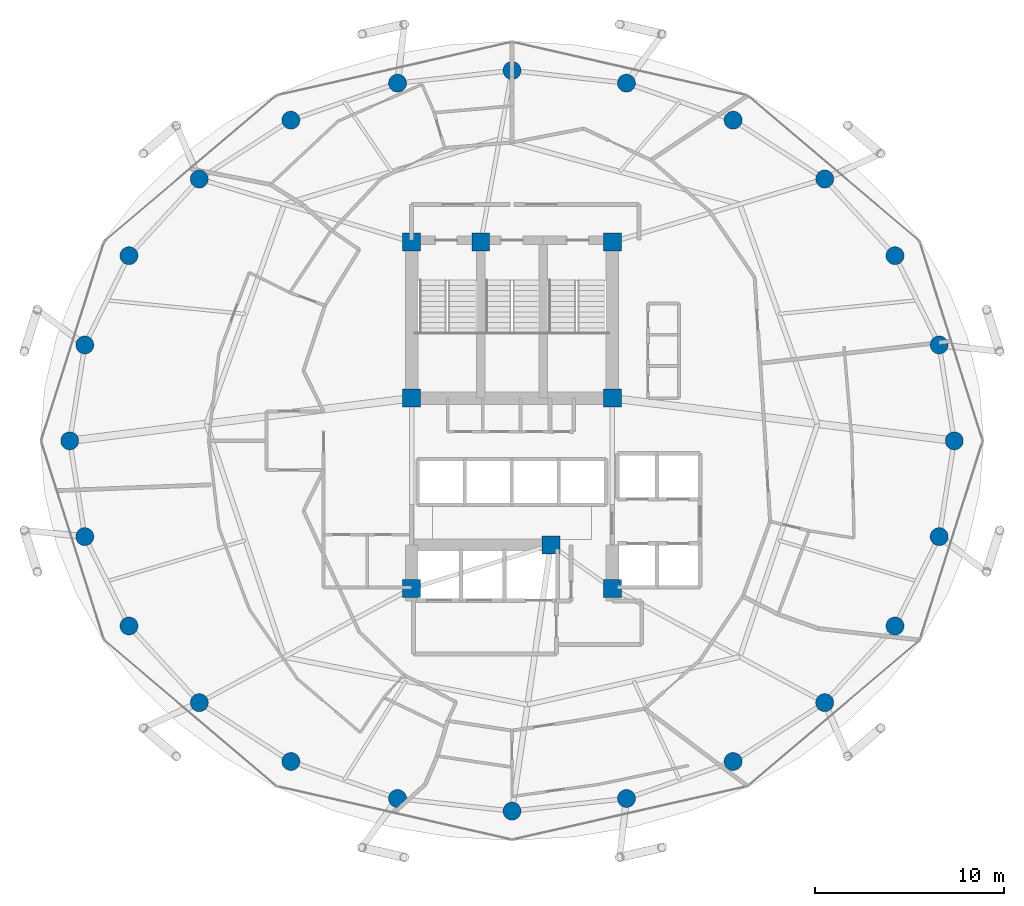
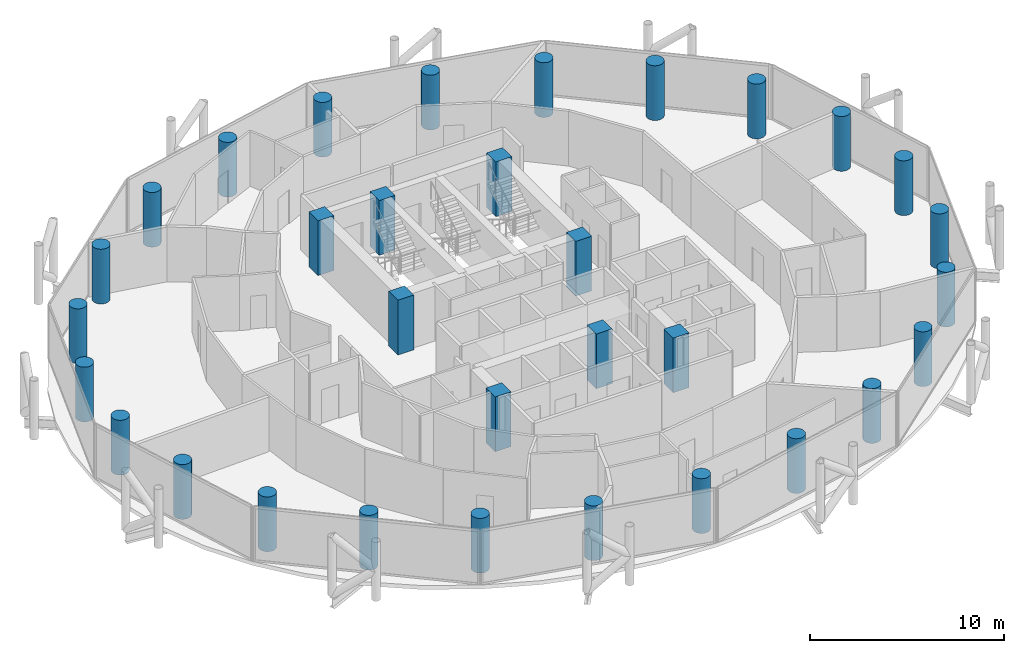
# One storey, part 1 of 26: 32 columns.
"""IFC4 building model written with IfcOpenShell, lengths in metres."""

from ifc_helpers import new_model, si_unit, direction, frame, origin, origin_2d, place, context, subcontext, project, spatial, rectangle, circle, extrude, material, material_profile, profile_set, type_object, element, save


model = new_model("IFC4")

# Units and contexts
model_context = context("Model", 3, precision=1e-05, world=origin(), true_north=direction((0.0, 1.0)))
body_context = subcontext(model_context, "Body", "Model", "MODEL_VIEW")
ifc_project = project(units=[si_unit("LENGTHUNIT", "METRE"), si_unit("AREAUNIT", "SQUARE_METRE"), si_unit("VOLUMEUNIT", "CUBIC_METRE"), si_unit("PLANEANGLEUNIT", "RADIAN"), si_unit("MASSUNIT", "GRAM", prefix="KILO")], contexts=[model_context])

# Site, building, storey
site_placement = place(None, origin())
site = spatial("IfcSite", under=ifc_project, at=site_placement, CompositionType="ELEMENT")
building_placement = place(site_placement, origin())
building = spatial("IfcBuilding", under=site, at=building_placement, Name="Nuhasar Tower", CompositionType="ELEMENT")
storey_placement = place(building_placement, frame((0.0, 0.0, 129.35009765625)))
storey = spatial("IfcBuildingStorey", under=building, at=storey_placement, Name="L30", CompositionType="ELEMENT", Elevation=129.35009765625)

# Columns
ifc_material = material(Name="Concrete C65/80", Category="concrete")
ifc_material_profile_1 = material_profile(ifc_material, circle(Radius=0.47509765625, at=origin_2d()), Name="CFT950")
ifc_profile_set_1 = profile_set([ifc_material_profile_1], Name="Concrete C65/80")
column_type_1 = type_object("IfcColumnType", Name="COL-CFT-950", PredefinedType="COLUMN", material=ifc_profile_set_1)
for number, where, z_axis, x_axis, name in (
    (1, (62.35009765625, 26.800048828125, 0.0), (0.0, 0.0, 1.0), (1.0, 0.0, 0.0), "L30 Perimeter Composite Column TC-01"),
    (2, (61.553955078125, 31.860107421875, 0.0), (0.0, 0.0, 1.0), (1.0, 0.0, 0.0), "L30 Perimeter Composite Column TC-02"),
    (3, (59.221923828125, 36.574951171875, 0.0), (0.0, 0.0, 1.0), (1.0, 0.0, 0.0), "L30 Perimeter Composite Column TC-03"),
    (4, (55.510986328125, 40.6240234375, 0.0), (0.0, 0.0, 1.0), (1.0, 0.0, 0.0), "L30 Perimeter Composite Column TC-04"),
    (5, (50.675048828125, 43.73095703125, 0.0), (0.0, 0.0, 1.0), (1.0, 0.0, 0.0), "L30 Perimeter Composite Column TC-05"),
    (6, (45.04296875, 45.68408203125, 0.0), (0.0, 0.0, 1.0), (1.0, 0.0, 0.0), "L30 Perimeter Composite Column TC-06"),
    (7, (39.0, 46.35009765625, 0.0), (0.0, 0.0, 1.0), (1.0, 0.0, 0.0), "L30 Perimeter Composite Column TC-07"),
    (8, (32.95703125, 45.68408203125, 0.0), (0.0, 0.0, 1.0), (1.0, 0.0, 0.0), "L30 Perimeter Composite Column TC-08"),
    (9, (27.324951171875, 43.73095703125, 0.0), (0.0, 0.0, 1.0), (1.0, 0.0, 0.0), "L30 Perimeter Composite Column TC-09"),
    (10, (22.489013671875, 40.6240234375, 0.0), (0.0, 0.0, 1.0), (1.0, 0.0, 0.0), "L30 Perimeter Composite Column TC-10"),
    (11, (18.778076171875, 36.574951171875, 0.0), (0.0, 0.0, 1.0), (1.0, 0.0, 0.0), "L30 Perimeter Composite Column TC-11"),
    (12, (16.446044921875, 31.860107421875, 0.0), (0.0, 0.0, 1.0), (1.0, 0.0, 0.0), "L30 Perimeter Composite Column TC-12"),
    (13, (15.64990234375, 26.800048828125, 0.0), (0.0, 0.0, 1.0), (1.0, 0.0, 0.0), "L30 Perimeter Composite Column TC-13"),
    (14, (16.446044921875, 21.739990234375, 0.0), (0.0, 0.0, 1.0), (1.0, 0.0, 0.0), "L30 Perimeter Composite Column TC-14"),
    (15, (18.778076171875, 17.02490234375, 0.0), (0.0, 0.0, 1.0), (1.0, 0.0, 0.0), "L30 Perimeter Composite Column TC-15"),
    (16, (22.489013671875, 12.97607421875, 0.0), (0.0, 0.0, 1.0), (1.0, 0.0, 0.0), "L30 Perimeter Composite Column TC-16"),
    (17, (27.324951171875, 9.868896484375, 0.0), (0.0, 0.0, 1.0), (1.0, 0.0, 0.0), "L30 Perimeter Composite Column TC-17"),
    (18, (32.95703125, 7.916015625, 0.0), (0.0, 0.0, 1.0), (1.0, 0.0, 0.0), "L30 Perimeter Composite Column TC-18"),
    (19, (39.0, 7.25, 0.0), (0.0, 0.0, 1.0), (1.0, 0.0, 0.0), "L30 Perimeter Composite Column TC-19"),
    (20, (45.04296875, 7.916015625, 0.0), (0.0, 0.0, 1.0), (1.0, 0.0, 0.0), "L30 Perimeter Composite Column TC-20"),
    (21, (50.675048828125, 9.868896484375, 0.0), (0.0, 0.0, 1.0), (1.0, 0.0, 0.0), "L30 Perimeter Composite Column TC-21"),
    (22, (55.510986328125, 12.97607421875, 0.0), (0.0, 0.0, 1.0), (1.0, 0.0, 0.0), "L30 Perimeter Composite Column TC-22"),
    (23, (59.221923828125, 17.02490234375, 0.0), (0.0, 0.0, 1.0), (1.0, 0.0, 0.0), "L30 Perimeter Composite Column TC-23"),
    (24, (61.553955078125, 21.739990234375, 0.0), (0.0, 0.0, 1.0), (1.0, 0.0, 0.0), "L30 Perimeter Composite Column TC-24"),
):
    element("IfcColumn", number, at=place(storey_placement, frame(where, z_axis=z_axis, x_axis=x_axis)), inside=storey, type_object=column_type_1, Name=name, PredefinedType="COLUMN", context=body_context, shape_type="SweptSolid", body=[
        extrude(circle(Radius=0.47509765625, at=origin_2d()), origin(), (0.0, 0.0, 1.0), 3.449951171875),
    ])
ifc_material_profile_2 = material_profile(ifc_material, rectangle(XDim=0.949951171875, YDim=0.949951171875, at=origin_2d()), Name="RC950X950")
ifc_profile_set_2 = profile_set([ifc_material_profile_2], Name="Concrete C65/80")
column_type_2 = type_object("IfcColumnType", Name="PIL-RC-950", PredefinedType="PILASTER", material=ifc_profile_set_2)
for number, where, z_axis, x_axis, name in (
    (25, (33.699951171875, 19.0, 0.0), (0.0, 0.0, 1.0), (1.0, 0.0, 0.0), "L30 Core Boundary Pilaster CC-01"),
    (26, (41.050048828125, 21.300048828125, 0.0), (0.0, 0.0, 1.0), (1.0, 0.0, 0.0), "L30 Core Boundary Pilaster CC-02"),
    (27, (44.300048828125, 19.0, 0.0), (0.0, 0.0, 1.0), (1.0, 0.0, 0.0), "L30 Core Boundary Pilaster CC-03"),
    (28, (44.300048828125, 29.050048828125, 0.0), (0.0, 0.0, 1.0), (1.0, 0.0, 0.0), "L30 Core Boundary Pilaster CC-04"),
    (29, (44.300048828125, 37.300048828125, 0.0), (0.0, 0.0, 1.0), (1.0, 0.0, 0.0), "L30 Core Boundary Pilaster CC-05"),
    (30, (37.35009765625, 37.300048828125, 0.0), (0.0, 0.0, 1.0), (1.0, 0.0, 0.0), "L30 Core Boundary Pilaster CC-06"),
    (31, (33.699951171875, 37.300048828125, 0.0), (0.0, 0.0, 1.0), (1.0, 0.0, 0.0), "L30 Core Boundary Pilaster CC-07"),
    (32, (33.699951171875, 29.050048828125, 0.0), (0.0, 0.0, 1.0), (1.0, 0.0, 0.0), "L30 Core Boundary Pilaster CC-08"),
):
    element("IfcColumn", number, at=place(storey_placement, frame(where, z_axis=z_axis, x_axis=x_axis)), inside=storey, type_object=column_type_2, Name=name, PredefinedType="PILASTER", context=body_context, shape_type="SweptSolid", body=[
        extrude(rectangle(XDim=0.949951171875, YDim=0.949951171875, at=origin_2d()), origin(), (0.0, 0.0, 1.0), 3.449951171875),
    ])

save(model, "model.ifc")
